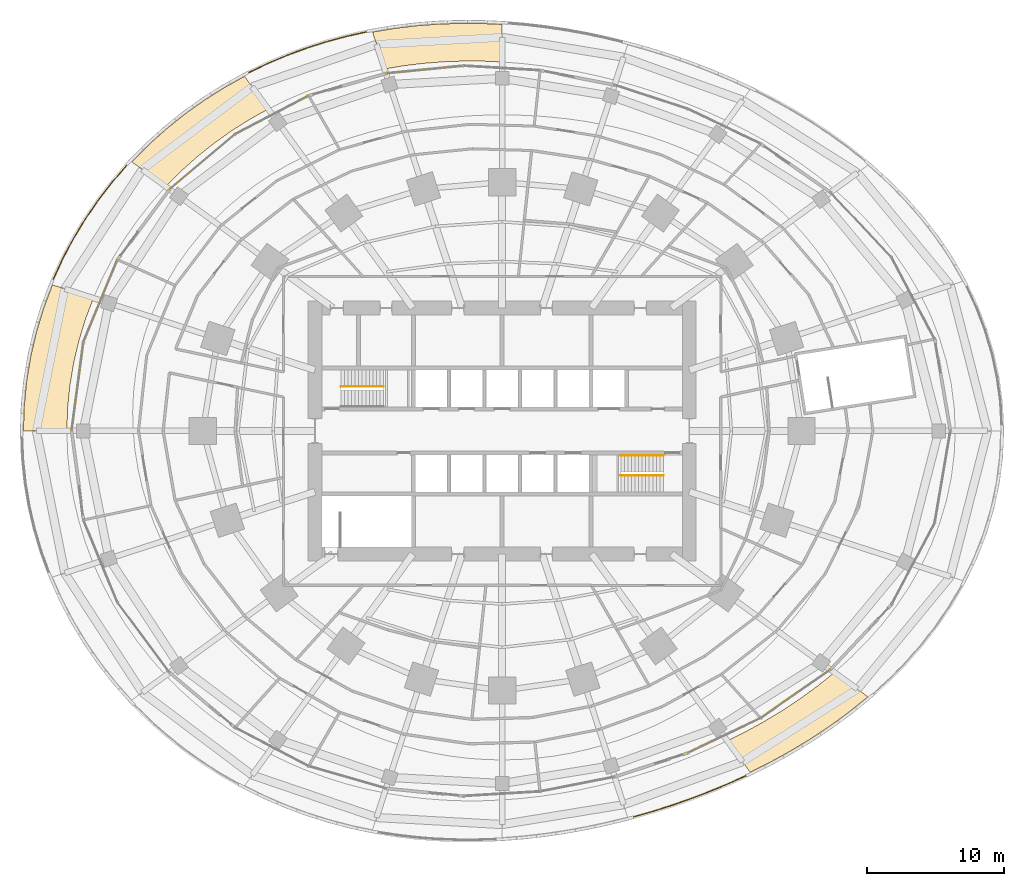
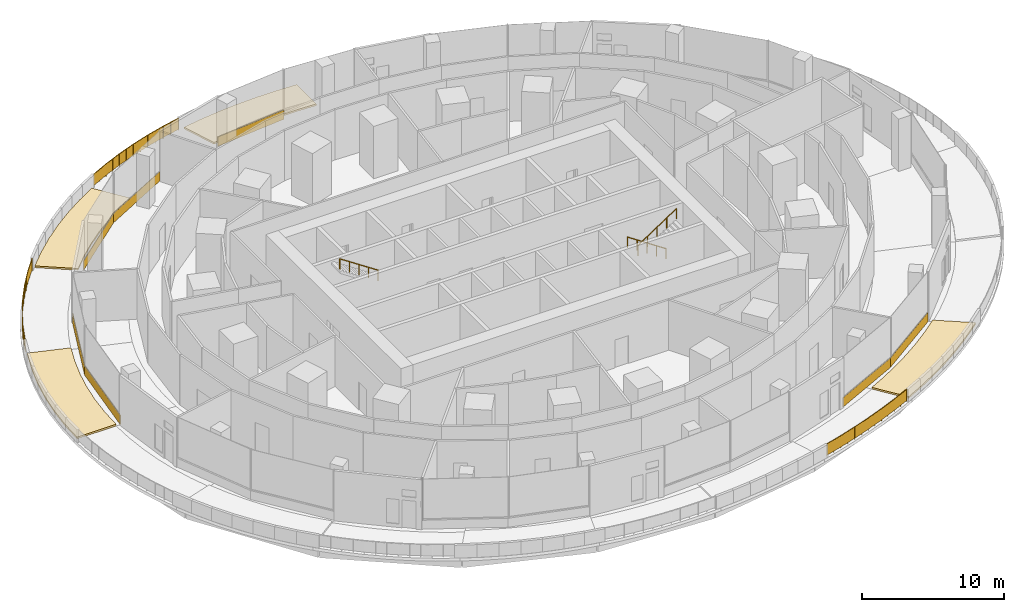
# One storey, part 24 of 26: 11 coverings, 6 railings.
"""IFC4 building model written with IfcOpenShell, lengths in metres."""

from ifc_helpers import new_model, si_unit, direction, frame, origin, origin_2d, place, context, subcontext, project, spatial, polyline, rectangle, circle, outline, extrude, material, layer, layer_set, type_object, element, save


model = new_model("IFC4")

# Units and contexts
model_context = context("Model", 3, precision=1e-05, world=origin(), true_north=direction((0.0, 1.0)))
body_context = subcontext(model_context, "Body", "Model", "MODEL_VIEW")
ifc_project = project(units=[si_unit("LENGTHUNIT", "METRE"), si_unit("AREAUNIT", "SQUARE_METRE"), si_unit("VOLUMEUNIT", "CUBIC_METRE"), si_unit("PLANEANGLEUNIT", "RADIAN"), si_unit("MASSUNIT", "GRAM", prefix="KILO")], contexts=[model_context])

# Site, building, storey
site_placement = place(None, origin())
site = spatial("IfcSite", under=ifc_project, at=site_placement, CompositionType="ELEMENT")
building_placement = place(site_placement, origin())
building = spatial("IfcBuilding", under=site, at=building_placement, Name="Marramba Exchange Tower", CompositionType="ELEMENT")
storey_placement = place(building_placement, frame((0.0, 0.0, 15.10009765625)))
storey = spatial("IfcBuildingStorey", under=building, at=storey_placement, Name="L03", CompositionType="ELEMENT", Elevation=15.10009765625)

# Coverings
ifc_material_1 = material(Name="Extensive green roof: growing medium on drainage cell, filter fabric and root-barrier membrane")
ifc_layer_1 = layer(ifc_material_1, 0.14990234375)
ifc_layer_set_1 = layer_set([ifc_layer_1], Name="Planted roof build-up 150")
covering_type_1 = type_object("IfcCoveringType", Name="Planted roof build-up 150", PredefinedType="ROOFING", material=ifc_layer_set_1)
covering_1_placement = place(storey_placement, origin())
element("IfcCovering", 1, at=covering_1_placement, inside=storey, type_object=covering_type_1, Name="Planted roof build-up L03 bay 06", PredefinedType="ROOFING", context=body_context, shape_type="SweptSolid", body=[
    extrude(outline(polyline([(0.0, 27.0), (-1.418212890625, 27.058837890625), (-2.844482421875, 27.06396484375), (-4.2783203125, 27.01220703125), (-5.718017578125, 26.901123046875), (-7.16162109375, 26.7275390625), (-8.606689453125, 26.48876953125), (-9.48388671875, 29.18798828125), (-7.8916015625, 29.45166015625), (-6.30078125, 29.642822265625), (-4.71435546875, 29.76513671875), (-3.13427734375, 29.82177734375), (-1.5625, 29.8154296875), (0.0, 29.75), (0.0, 27.0)])), origin(), (0.0, 0.0, 1.0), 0.14990234375),
])
covering_2_placement = place(storey_placement, origin())
element("IfcCovering", 2, at=covering_2_placement, inside=storey, type_object=covering_type_1, Name="Planted roof build-up L03 bay 08", PredefinedType="ROOFING", context=body_context, shape_type="SweptSolid", body=[
    extrude(outline(polyline([(-17.114013671875, 23.555419921875), (-18.46435546875, 22.801513671875), (-19.7822265625, 21.97021484375), (-21.061767578125, 21.061767578125), (-22.2978515625, 20.0771484375), (-23.484375, 19.017333984375), (-24.615478515625, 17.88427734375), (-27.1005859375, 19.689697265625), (-25.858154296875, 20.939453125), (-24.554443359375, 22.10888671875), (-23.19580078125, 23.19580078125), (-21.78857421875, 24.198486328125), (-20.3388671875, 25.116455078125), (-18.852783203125, 25.94873046875), (-18.852783203125, 25.94873046875), (-17.114013671875, 23.555419921875)])), origin(), (0.0, 0.0, 1.0), 0.14990234375),
])
covering_3_placement = place(storey_placement, origin())
element("IfcCovering", 3, at=covering_3_placement, inside=storey, type_object=covering_type_1, Name="Planted roof build-up L03 bay 10", PredefinedType="ROOFING", context=body_context, shape_type="SweptSolid", body=[
    extrude(outline(polyline([(-29.91162109375, 9.71875), (-30.49365234375, 8.170654296875), (-30.976318359375, 6.584228515625), (-31.356201171875, 4.96630859375), (-31.629638671875, 3.324462890625), (-31.794921875, 1.666259765625), (-31.85009765625, 0.0), (-35.030029296875, 0.0), (-34.9697265625, 1.832763671875), (-34.7890625, 3.656494140625), (-34.48974609375, 5.462646484375), (-34.07421875, 7.24267578125), (-33.545654296875, 8.988525390625), (-32.90869140625, 10.692626953125), (-29.91162109375, 9.71875)])), origin(), (0.0, 0.0, 1.0), 0.14990234375),
])
covering_4_placement = place(storey_placement, origin())
element("IfcCovering", 4, at=covering_4_placement, inside=storey, type_object=covering_type_1, Name="Planted roof build-up L03 bay 18", PredefinedType="ROOFING", context=body_context, shape_type="SweptSolid", body=[
    extrude(outline(polyline([(16.47509765625, -22.676025390625), (17.81787109375, -22.003173828125), (19.152099609375, -21.2705078125), (20.474365234375, -20.474365234375), (21.77978515625, -19.610595703125), (23.061767578125, -18.675048828125), (24.31298828125, -17.66455078125), (26.76513671875, -19.446044921875), (25.389404296875, -20.559814453125), (23.9794921875, -21.59130859375), (22.5439453125, -22.5439453125), (21.08935546875, -23.422119140625), (19.62109375, -24.230224609375), (18.1435546875, -24.972412109375), (18.1435546875, -24.972412109375), (16.47509765625, -22.676025390625)])), origin(), (0.0, 0.0, 1.0), 0.14990234375),
])
ifc_material_2 = material(Name="Aluminium spandrel panel, bronze anodised, insulated", Category="aluminium")
ifc_layer_2 = layer(ifc_material_2, 0.050048828125)
ifc_layer_set_2 = layer_set([ifc_layer_2], Name="Spandrel panel 800")
covering_type_2 = type_object("IfcCoveringType", Name="Spandrel panel 800", PredefinedType="CLADDING", material=ifc_layer_set_2)
covering_5_placement = place(storey_placement, frame((-5.6533203125, 26.435791015625, 0.0), z_axis=(0.0, 0.0, 1.0), x_axis=(-0.995194841997, -0.097914383323, 0.0)))
element("IfcCovering", 5, at=covering_5_placement, inside=storey, type_object=covering_type_2, Name="Spandrel panel SP1 L03 F09", PredefinedType="CLADDING", context=body_context, shape_type="SweptSolid", body=[
    extrude(rectangle(XDim=5.718017578125, YDim=0.050048828125, at=origin_2d()), origin(), (0.0, 0.0, 1.0), 0.800048828125),
])
covering_6_placement = place(storey_placement, frame((-16.854736328125, 23.119140625, 0.0), z_axis=(0.0, 0.0, 1.0), x_axis=(-0.886061918905, -0.463566905491, 0.0)))
element("IfcCovering", 6, at=covering_6_placement, inside=storey, type_object=covering_type_2, Name="Spandrel panel SP1 L03 F11", PredefinedType="CLADDING", context=body_context, shape_type="SweptSolid", body=[
    extrude(rectangle(XDim=6.0791015625, YDim=0.050048828125, at=origin_2d()), origin(), (0.0, 0.0, 1.0), 0.800048828125),
])
covering_7_placement = place(storey_placement, frame((-21.940185546875, 19.6943359375, 0.0), z_axis=(0.0, 0.0, 1.0), x_axis=(-0.764696951381, -0.64439007794, 0.0)))
element("IfcCovering", 7, at=covering_7_placement, inside=storey, type_object=covering_type_2, Name="Spandrel panel SP1 L03 F12", PredefinedType="CLADDING", context=body_context, shape_type="SweptSolid", body=[
    extrude(rectangle(XDim=6.256591796875, YDim=0.050048828125, at=origin_2d()), origin(), (0.0, 0.0, 1.0), 0.800048828125),
])
covering_8_placement = place(storey_placement, frame((-29.391357421875, 9.52197265625, 0.0), z_axis=(0.0, 0.0, 1.0), x_axis=(-0.381514469877, -0.924362866668, 0.0)))
element("IfcCovering", 8, at=covering_8_placement, inside=storey, type_object=covering_type_2, Name="Spandrel panel SP1 L03 F14", PredefinedType="CLADDING", context=body_context, shape_type="SweptSolid", body=[
    extrude(rectangle(XDim=6.513916015625, YDim=0.050048828125, at=origin_2d()), origin(), (0.0, 0.0, 1.0), 0.800048828125),
])
covering_9_placement = place(storey_placement, frame((-31.06689453125, 3.255615234375, 0.0), z_axis=(0.0, 0.0, 1.0), x_axis=(-0.13183948378, -0.991271078221, 0.0)))
element("IfcCovering", 9, at=covering_9_placement, inside=storey, type_object=covering_type_2, Name="Spandrel panel SP1 L03 F15", PredefinedType="CLADDING", context=body_context, shape_type="SweptSolid", body=[
    extrude(rectangle(XDim=6.56884765625, YDim=0.050048828125, at=origin_2d()), origin(), (0.0, 0.0, 1.0), 0.800048828125),
])
covering_10_placement = place(storey_placement, frame((16.258544921875, -22.282470703125, 0.0), z_axis=(0.0, 0.0, 1.0), x_axis=(0.902119809396, 0.431485630695, 0.0)))
element("IfcCovering", 10, at=covering_10_placement, inside=storey, type_object=covering_type_2, Name="Spandrel panel SP1 L03 F26", PredefinedType="CLADDING", context=body_context, shape_type="SweptSolid", body=[
    extrude(rectangle(XDim=5.895751953125, YDim=0.050048828125, at=origin_2d()), origin(), (0.0, 0.0, 1.0), 0.800048828125),
])
covering_11_placement = place(storey_placement, frame((21.473876953125, -19.234619140625, 0.0), z_axis=(0.0, 0.0, 1.0), x_axis=(0.821237691283, 0.570586237492, 0.0)))
element("IfcCovering", 11, at=covering_11_placement, inside=storey, type_object=covering_type_2, Name="Spandrel panel SP1 L03 F27", PredefinedType="CLADDING", context=body_context, shape_type="SweptSolid", body=[
    extrude(rectangle(XDim=6.224609375, YDim=0.050048828125, at=origin_2d()), origin(), (0.0, 0.0, 1.0), 0.800048828125),
])

# Railings
ifc_material_3 = material(Name="Stainless steel handrail", Category="steel")
railing_type_1 = type_object("IfcRailingType", Name="Stair handrail 900", PredefinedType="HANDRAIL", material=ifc_material_3)
for number, where, name in (
    (12, (-8.679931640625, 3.25, 2.423095703125), "Handrail HR1 ST1 L03 flight 2"),
    (13, (11.800048828125, -1.800048828125, 0.173095703125), "Handrail HR1 ST2 L03 flight 1"),
):
    element("IfcRailing", number, at=place(storey_placement, frame(where)), inside=storey, type_object=railing_type_1, Name=name, PredefinedType="HANDRAIL", context=body_context, shape_type="SweptSolid", body=[
        extrude(circle(Radius=0.02392578125, at=origin_2d()), frame((0.0, 0.0, 0.8759765625), z_axis=(-0.83244090515, 0.0, 0.554113832559), x_axis=(0.0, -1.0, 0.0)), (0.0, 0.0, 1.0), 3.748046875),
        extrude(circle(Radius=0.02099609375, at=origin_2d()), origin(), (0.0, 0.0, 1.0), 0.851806640625),
        extrude(circle(Radius=0.02099609375, at=origin_2d()), frame((-0.780029296875, 0.0, 0.519287109375)), (0.0, 0.0, 1.0), 0.851806640625),
        extrude(circle(Radius=0.02099609375, at=origin_2d()), frame((-1.56005859375, 0.0, 1.03857421875)), (0.0, 0.0, 1.0), 0.851806640625),
        extrude(circle(Radius=0.02099609375, at=origin_2d()), frame((-2.340087890625, 0.0, 1.5576171875)), (0.0, 0.0, 1.0), 0.851806640625),
        extrude(circle(Radius=0.02099609375, at=origin_2d()), frame((-3.1201171875, 0.0, 2.076904296875)), (0.0, 0.0, 1.0), 0.851806640625),
    ])
railing_1_placement = place(storey_placement, frame((8.679931640625, -3.25, 2.423095703125)))
element("IfcRailing", 14, at=railing_1_placement, inside=storey, type_object=railing_type_1, Name="Handrail HR1 ST2 L03 flight 2", PredefinedType="HANDRAIL", context=body_context, shape_type="SweptSolid", body=[
    extrude(circle(Radius=0.02392578125, at=origin_2d()), frame((0.0, 0.0, 0.8759765625), z_axis=(0.83244090515, 0.0, 0.554113832559), x_axis=(0.0, 1.0, 0.0)), (0.0, 0.0, 1.0), 3.748046875),
    extrude(circle(Radius=0.02099609375, at=origin_2d()), origin(), (0.0, 0.0, 1.0), 0.851806640625),
    extrude(circle(Radius=0.02099609375, at=origin_2d()), frame((0.780029296875, 0.0, 0.519287109375)), (0.0, 0.0, 1.0), 0.851806640625),
    extrude(circle(Radius=0.02099609375, at=origin_2d()), frame((1.56005859375, 0.0, 1.03857421875)), (0.0, 0.0, 1.0), 0.851806640625),
    extrude(circle(Radius=0.02099609375, at=origin_2d()), frame((2.340087890625, 0.0, 1.5576171875)), (0.0, 0.0, 1.0), 0.851806640625),
    extrude(circle(Radius=0.02099609375, at=origin_2d()), frame((3.1201171875, 0.0, 2.076904296875)), (0.0, 0.0, 1.0), 0.851806640625),
])
ifc_material_4 = material(Name="Bronze anodised aluminium and laminated glass guard", Category="aluminium")
railing_type_2 = type_object("IfcRailingType", Name="Terrace guard 1100", PredefinedType="GUARDRAIL", material=ifc_material_4)
railing_2_placement = place(storey_placement, frame((-9.908935546875, 29.206298828125, 0.0)))
element("IfcRailing", 15, at=railing_2_placement, inside=storey, type_object=railing_type_2, Name="Terrace guard GR1 L03 bay 07", PredefinedType="GUARDRAIL", context=body_context, shape_type="SweptSolid", body=[
    extrude(circle(Radius=0.02392578125, at=origin_2d()), frame((0.0, 0.0, 1.076171875), z_axis=(-0.975926328545, -0.218100438452, 0.0), x_axis=(0.218100438452, -0.975926328545, 0.0)), (0.0, 0.0, 1.0), 1.502197265625),
    extrude(circle(Radius=0.02392578125, at=origin_2d()), frame((-1.466064453125, -0.32763671875, 1.076171875), z_axis=(-0.965537820506, -0.260262784839, 0.0), x_axis=(0.260262784839, -0.965537820506, 0.0)), (0.0, 0.0, 1.0), 1.51318359375),
    extrude(circle(Radius=0.02392578125, at=origin_2d()), frame((-2.927001953125, -0.721435546875, 1.076171875), z_axis=(-0.952951026146, -0.303124300852, 0.0), x_axis=(0.303124300852, -0.952951026146, 0.0)), (0.0, 0.0, 1.0), 1.52392578125),
    extrude(circle(Radius=0.02392578125, at=origin_2d()), frame((-4.379150390625, -1.183349609375, 1.076171875), z_axis=(-0.93808216174, -0.346412843043, 0.0), x_axis=(0.346412843043, -0.93808216174, 0.0)), (0.0, 0.0, 1.0), 1.534912109375),
    extrude(circle(Radius=0.02392578125, at=origin_2d()), frame((-5.819091796875, -1.715087890625, 1.076171875), z_axis=(-0.920908387169, -0.389779094415, 0.0), x_axis=(0.389779094415, -0.920908387169, 0.0)), (0.0, 0.0, 1.0), 1.5458984375),
    extrude(circle(Radius=0.02392578125, at=origin_2d()), frame((-7.24267578125, -2.317626953125, 1.076171875), z_axis=(-0.901373707725, -0.433042075349, 0.0), x_axis=(0.433042075349, -0.901373707725, 0.0)), (0.0, 0.0, 1.0), 1.556640625),
    extrude(circle(Radius=0.02099609375, at=origin_2d()), origin(), (0.0, 0.0, 1.0), 1.052001953125),
    extrude(circle(Radius=0.02099609375, at=origin_2d()), frame((-0.73291015625, -0.163818359375, 0.0)), (0.0, 0.0, 1.0), 1.052001953125),
    extrude(circle(Radius=0.02099609375, at=origin_2d()), frame((-1.466064453125, -0.32763671875, 0.0)), (0.0, 0.0, 1.0), 1.052001953125),
    extrude(circle(Radius=0.02099609375, at=origin_2d()), frame((-2.196533203125, -0.5244140625, 0.0)), (0.0, 0.0, 1.0), 1.052001953125),
    extrude(circle(Radius=0.02099609375, at=origin_2d()), frame((-2.927001953125, -0.721435546875, 0.0)), (0.0, 0.0, 1.0), 1.052001953125),
    extrude(circle(Radius=0.02099609375, at=origin_2d()), frame((-3.653076171875, -0.952392578125, 0.0)), (0.0, 0.0, 1.0), 1.052001953125),
    extrude(circle(Radius=0.02099609375, at=origin_2d()), frame((-4.379150390625, -1.183349609375, 0.0)), (0.0, 0.0, 1.0), 1.052001953125),
    extrude(circle(Radius=0.02099609375, at=origin_2d()), frame((-5.09912109375, -1.44921875, 0.0)), (0.0, 0.0, 1.0), 1.052001953125),
    extrude(circle(Radius=0.02099609375, at=origin_2d()), frame((-5.819091796875, -1.715087890625, 0.0)), (0.0, 0.0, 1.0), 1.052001953125),
    extrude(circle(Radius=0.02099609375, at=origin_2d()), frame((-6.53076171875, -2.016357421875, 0.0)), (0.0, 0.0, 1.0), 1.052001953125),
    extrude(circle(Radius=0.02099609375, at=origin_2d()), frame((-7.24267578125, -2.317626953125, 0.0)), (0.0, 0.0, 1.0), 1.052001953125),
    extrude(circle(Radius=0.02099609375, at=origin_2d()), frame((-7.9443359375, -2.65478515625, 0.0)), (0.0, 0.0, 1.0), 1.052001953125),
    extrude(circle(Radius=0.02099609375, at=origin_2d()), frame((-8.645751953125, -2.99169921875, 0.0)), (0.0, 0.0, 1.0), 1.052001953125),
    extrude(rectangle(XDim=0.733154296875, YDim=0.02001953125, at=origin_2d()), frame((-0.366455078125, -0.08203125, 0.10009765625), z_axis=(0.0, 0.0, 1.0), x_axis=(-0.975926328545, -0.218100438452, 0.0)), (0.0, 0.0, 1.0), 0.951904296875),
    extrude(rectangle(XDim=0.733154296875, YDim=0.02001953125, at=origin_2d()), frame((-1.099609375, -0.24560546875, 0.10009765625), z_axis=(0.0, 0.0, 1.0), x_axis=(-0.975926328545, -0.218100438452, 0.0)), (0.0, 0.0, 1.0), 0.951904296875),
    extrude(rectangle(XDim=0.738525390625, YDim=0.02001953125, at=origin_2d()), frame((-1.831298828125, -0.426025390625, 0.10009765625), z_axis=(0.0, 0.0, 1.0), x_axis=(-0.965537820506, -0.260262784839, 0.0)), (0.0, 0.0, 1.0), 0.951904296875),
    extrude(rectangle(XDim=0.738525390625, YDim=0.02001953125, at=origin_2d()), frame((-2.561767578125, -0.623046875, 0.10009765625), z_axis=(0.0, 0.0, 1.0), x_axis=(-0.965537820506, -0.260262784839, 0.0)), (0.0, 0.0, 1.0), 0.951904296875),
    extrude(rectangle(XDim=0.743896484375, YDim=0.02001953125, at=origin_2d()), frame((-3.2900390625, -0.8369140625, 0.10009765625), z_axis=(0.0, 0.0, 1.0), x_axis=(-0.952951026146, -0.303124300852, 0.0)), (0.0, 0.0, 1.0), 0.951904296875),
    extrude(rectangle(XDim=0.743896484375, YDim=0.02001953125, at=origin_2d()), frame((-4.01611328125, -1.06787109375, 0.10009765625), z_axis=(0.0, 0.0, 1.0), x_axis=(-0.952951026146, -0.303124300852, 0.0)), (0.0, 0.0, 1.0), 0.951904296875),
    extrude(rectangle(XDim=0.74951171875, YDim=0.02001953125, at=origin_2d()), frame((-4.7392578125, -1.31640625, 0.10009765625), z_axis=(0.0, 0.0, 1.0), x_axis=(-0.93808216174, -0.346412843043, 0.0)), (0.0, 0.0, 1.0), 0.951904296875),
    extrude(rectangle(XDim=0.74951171875, YDim=0.02001953125, at=origin_2d()), frame((-5.458984375, -1.58203125, 0.10009765625), z_axis=(0.0, 0.0, 1.0), x_axis=(-0.93808216174, -0.346412843043, 0.0)), (0.0, 0.0, 1.0), 0.951904296875),
    extrude(rectangle(XDim=0.7548828125, YDim=0.02001953125, at=origin_2d()), frame((-6.175048828125, -1.86572265625, 0.10009765625), z_axis=(0.0, 0.0, 1.0), x_axis=(-0.920908387169, -0.389779094415, 0.0)), (0.0, 0.0, 1.0), 0.951904296875),
    extrude(rectangle(XDim=0.7548828125, YDim=0.02001953125, at=origin_2d()), frame((-6.88671875, -2.1669921875, 0.10009765625), z_axis=(0.0, 0.0, 1.0), x_axis=(-0.920908387169, -0.389779094415, 0.0)), (0.0, 0.0, 1.0), 0.951904296875),
    extrude(rectangle(XDim=0.76025390625, YDim=0.02001953125, at=origin_2d()), frame((-7.593505859375, -2.486083984375, 0.10009765625), z_axis=(0.0, 0.0, 1.0), x_axis=(-0.901373707725, -0.433042075349, 0.0)), (0.0, 0.0, 1.0), 0.951904296875),
    extrude(rectangle(XDim=0.76025390625, YDim=0.02001953125, at=origin_2d()), frame((-8.294921875, -2.8232421875, 0.10009765625), z_axis=(0.0, 0.0, 1.0), x_axis=(-0.901373707725, -0.433042075349, 0.0)), (0.0, 0.0, 1.0), 0.951904296875),
])
railing_3_placement = place(storey_placement, frame((-27.4541015625, 19.45361328125, 0.0)))
element("IfcRailing", 16, at=railing_3_placement, inside=storey, type_object=railing_type_2, Name="Terrace guard GR1 L03 bay 09", PredefinedType="GUARDRAIL", context=body_context, shape_type="SweptSolid", body=[
    extrude(circle(Radius=0.02392578125, at=origin_2d()), frame((0.0, 0.0, 1.076171875), z_axis=(-0.654055702017, -0.75644638849, 0.0), x_axis=(0.75644638849, -0.654055702017, 0.0)), (0.0, 0.0, 1.0), 1.647705078125),
    extrude(circle(Radius=0.02392578125, at=origin_2d()), frame((-1.07763671875, -1.246337890625, 1.076171875), z_axis=(-0.611590164812, -0.79117474069, 0.0), x_axis=(0.79117474069, -0.611590164812, 0.0)), (0.0, 0.0, 1.0), 1.65576171875),
    extrude(circle(Radius=0.02392578125, at=origin_2d()), frame((-2.09033203125, -2.556396484375, 1.076171875), z_axis=(-0.566933609492, -0.823763486948, 0.0), x_axis=(0.823763486948, -0.566933609492, 0.0)), (0.0, 0.0, 1.0), 1.66357421875),
    extrude(circle(Radius=0.02392578125, at=origin_2d()), frame((-3.033447265625, -3.9267578125, 1.076171875), z_axis=(-0.519858850399, -0.854252173343, 0.0), x_axis=(0.854252173343, -0.519858850399, 0.0)), (0.0, 0.0, 1.0), 1.67041015625),
    extrude(circle(Radius=0.02392578125, at=origin_2d()), frame((-3.90185546875, -5.353759765625, 1.076171875), z_axis=(-0.470353988462, -0.882477832887, 0.0), x_axis=(0.882477832887, -0.470353988462, 0.0)), (0.0, 0.0, 1.0), 1.677001953125),
    extrude(circle(Radius=0.02392578125, at=origin_2d()), frame((-4.690673828125, -6.833740234375, 1.076171875), z_axis=(-0.41884656129, -0.908057023593, 0.0), x_axis=(0.908057023593, -0.41884656129, 0.0)), (0.0, 0.0, 1.0), 1.682861328125),
    extrude(circle(Radius=0.02099609375, at=origin_2d()), origin(), (0.0, 0.0, 1.0), 1.052001953125),
    extrude(circle(Radius=0.02099609375, at=origin_2d()), frame((-0.538818359375, -0.623046875, 0.0)), (0.0, 0.0, 1.0), 1.052001953125),
    extrude(circle(Radius=0.02099609375, at=origin_2d()), frame((-1.07763671875, -1.246337890625, 0.0)), (0.0, 0.0, 1.0), 1.052001953125),
    extrude(circle(Radius=0.02099609375, at=origin_2d()), frame((-1.583984375, -1.9013671875, 0.0)), (0.0, 0.0, 1.0), 1.052001953125),
    extrude(circle(Radius=0.02099609375, at=origin_2d()), frame((-2.09033203125, -2.556396484375, 0.0)), (0.0, 0.0, 1.0), 1.052001953125),
    extrude(circle(Radius=0.02099609375, at=origin_2d()), frame((-2.56201171875, -3.24169921875, 0.0)), (0.0, 0.0, 1.0), 1.052001953125),
    extrude(circle(Radius=0.02099609375, at=origin_2d()), frame((-3.033447265625, -3.9267578125, 0.0)), (0.0, 0.0, 1.0), 1.052001953125),
    extrude(circle(Radius=0.02099609375, at=origin_2d()), frame((-3.4677734375, -4.64013671875, 0.0)), (0.0, 0.0, 1.0), 1.052001953125),
    extrude(circle(Radius=0.02099609375, at=origin_2d()), frame((-3.90185546875, -5.353759765625, 0.0)), (0.0, 0.0, 1.0), 1.052001953125),
    extrude(circle(Radius=0.02099609375, at=origin_2d()), frame((-4.29638671875, -6.09375, 0.0)), (0.0, 0.0, 1.0), 1.052001953125),
    extrude(circle(Radius=0.02099609375, at=origin_2d()), frame((-4.690673828125, -6.833740234375, 0.0)), (0.0, 0.0, 1.0), 1.052001953125),
    extrude(circle(Radius=0.02099609375, at=origin_2d()), frame((-5.04296875, -7.59765625, 0.0)), (0.0, 0.0, 1.0), 1.052001953125),
    extrude(circle(Radius=0.02099609375, at=origin_2d()), frame((-5.3955078125, -8.36181640625, 0.0)), (0.0, 0.0, 1.0), 1.052001953125),
    extrude(rectangle(XDim=0.805908203125, YDim=0.02001953125, at=origin_2d()), frame((-0.26953125, -0.3115234375, 0.10009765625), z_axis=(0.0, 0.0, 1.0), x_axis=(-0.654055702017, -0.75644638849, 0.0)), (0.0, 0.0, 1.0), 0.951904296875),
    extrude(rectangle(XDim=0.805908203125, YDim=0.02001953125, at=origin_2d()), frame((-0.80810546875, -0.934814453125, 0.10009765625), z_axis=(0.0, 0.0, 1.0), x_axis=(-0.654055702017, -0.75644638849, 0.0)), (0.0, 0.0, 1.0), 0.951904296875),
    extrude(rectangle(XDim=0.809814453125, YDim=0.02001953125, at=origin_2d()), frame((-1.330810546875, -1.57373046875, 0.10009765625), z_axis=(0.0, 0.0, 1.0), x_axis=(-0.611590164812, -0.79117474069, 0.0)), (0.0, 0.0, 1.0), 0.951904296875),
    extrude(rectangle(XDim=0.809814453125, YDim=0.02001953125, at=origin_2d()), frame((-1.837158203125, -2.22900390625, 0.10009765625), z_axis=(0.0, 0.0, 1.0), x_axis=(-0.611590164812, -0.79117474069, 0.0)), (0.0, 0.0, 1.0), 0.951904296875),
    extrude(rectangle(XDim=0.813720703125, YDim=0.02001953125, at=origin_2d()), frame((-2.326171875, -2.89892578125, 0.10009765625), z_axis=(0.0, 0.0, 1.0), x_axis=(-0.566933609492, -0.823763486948, 0.0)), (0.0, 0.0, 1.0), 0.951904296875),
    extrude(rectangle(XDim=0.813720703125, YDim=0.02001953125, at=origin_2d()), frame((-2.797607421875, -3.584228515625, 0.10009765625), z_axis=(0.0, 0.0, 1.0), x_axis=(-0.566933609492, -0.823763486948, 0.0)), (0.0, 0.0, 1.0), 0.951904296875),
    extrude(rectangle(XDim=0.817138671875, YDim=0.02001953125, at=origin_2d()), frame((-3.25048828125, -4.283447265625, 0.10009765625), z_axis=(0.0, 0.0, 1.0), x_axis=(-0.519858850399, -0.854252173343, 0.0)), (0.0, 0.0, 1.0), 0.951904296875),
    extrude(rectangle(XDim=0.817138671875, YDim=0.02001953125, at=origin_2d()), frame((-3.684814453125, -4.9970703125, 0.10009765625), z_axis=(0.0, 0.0, 1.0), x_axis=(-0.519858850399, -0.854252173343, 0.0)), (0.0, 0.0, 1.0), 0.951904296875),
    extrude(rectangle(XDim=0.820556640625, YDim=0.02001953125, at=origin_2d()), frame((-4.09912109375, -5.7236328125, 0.10009765625), z_axis=(0.0, 0.0, 1.0), x_axis=(-0.470353988462, -0.882477832887, 0.0)), (0.0, 0.0, 1.0), 0.951904296875),
    extrude(rectangle(XDim=0.820556640625, YDim=0.02001953125, at=origin_2d()), frame((-4.493408203125, -6.4638671875, 0.10009765625), z_axis=(0.0, 0.0, 1.0), x_axis=(-0.470353988462, -0.882477832887, 0.0)), (0.0, 0.0, 1.0), 0.951904296875),
    extrude(rectangle(XDim=0.823486328125, YDim=0.02001953125, at=origin_2d()), frame((-4.866943359375, -7.2158203125, 0.10009765625), z_axis=(0.0, 0.0, 1.0), x_axis=(-0.41884656129, -0.908057023593, 0.0)), (0.0, 0.0, 1.0), 0.951904296875),
    extrude(rectangle(XDim=0.823486328125, YDim=0.02001953125, at=origin_2d()), frame((-5.21923828125, -7.979736328125, 0.10009765625), z_axis=(0.0, 0.0, 1.0), x_axis=(-0.41884656129, -0.908057023593, 0.0)), (0.0, 0.0, 1.0), 0.951904296875),
])
railing_4_placement = place(storey_placement, frame((9.595458984375, -28.2431640625, 0.0)))
element("IfcRailing", 17, at=railing_4_placement, inside=storey, type_object=railing_type_2, Name="Terrace guard GR1 L03 bay 17", PredefinedType="GUARDRAIL", context=body_context, shape_type="SweptSolid", body=[
    extrude(circle(Radius=0.02392578125, at=origin_2d()), frame((0.0, 0.0, 1.076171875), z_axis=(0.961318621035, 0.27543875699, 0.0), x_axis=(-0.27543875699, 0.961318621035, 0.0)), (0.0, 0.0, 1.0), 1.437744140625),
    extrude(circle(Radius=0.02392578125, at=origin_2d()), frame((1.382080078125, 0.39599609375, 1.076171875), z_axis=(0.953337365569, 0.301907050945, 0.0), x_axis=(-0.301907050945, 0.953337365569, 0.0)), (0.0, 0.0, 1.0), 1.44580078125),
    extrude(circle(Radius=0.02392578125, at=origin_2d()), frame((2.760498046875, 0.83251953125, 1.076171875), z_axis=(0.944442488861, 0.328676718425, 0.0), x_axis=(-0.328676718425, 0.944442488861, 0.0)), (0.0, 0.0, 1.0), 1.455810546875),
    extrude(circle(Radius=0.02392578125, at=origin_2d()), frame((4.135498046875, 1.31103515625, 1.076171875), z_axis=(0.934672001669, 0.35551125059, 0.0), x_axis=(-0.35551125059, 0.934672001669, 0.0)), (0.0, 0.0, 1.0), 1.46826171875),
    extrude(circle(Radius=0.02392578125, at=origin_2d()), frame((5.5078125, 1.8330078125, 1.076171875), z_axis=(0.923733583321, 0.38303559501, 0.0), x_axis=(-0.38303559501, 0.923733583321, 0.0)), (0.0, 0.0, 1.0), 1.48193359375),
    extrude(circle(Radius=0.02392578125, at=origin_2d()), frame((6.876708984375, 2.400634765625, 1.076171875), z_axis=(0.911579569509, 0.411123689968, 0.0), x_axis=(-0.411123689968, 0.911579569509, 0.0)), (0.0, 0.0, 1.0), 1.49755859375),
    extrude(circle(Radius=0.02099609375, at=origin_2d()), origin(), (0.0, 0.0, 1.0), 1.052001953125),
    extrude(circle(Radius=0.02099609375, at=origin_2d()), frame((0.69091796875, 0.197998046875, 0.0)), (0.0, 0.0, 1.0), 1.052001953125),
    extrude(circle(Radius=0.02099609375, at=origin_2d()), frame((1.382080078125, 0.39599609375, 0.0)), (0.0, 0.0, 1.0), 1.052001953125),
    extrude(circle(Radius=0.02099609375, at=origin_2d()), frame((2.0712890625, 0.6142578125, 0.0)), (0.0, 0.0, 1.0), 1.052001953125),
    extrude(circle(Radius=0.02099609375, at=origin_2d()), frame((2.760498046875, 0.83251953125, 0.0)), (0.0, 0.0, 1.0), 1.052001953125),
    extrude(circle(Radius=0.02099609375, at=origin_2d()), frame((3.447998046875, 1.07177734375, 0.0)), (0.0, 0.0, 1.0), 1.052001953125),
    extrude(circle(Radius=0.02099609375, at=origin_2d()), frame((4.135498046875, 1.31103515625, 0.0)), (0.0, 0.0, 1.0), 1.052001953125),
    extrude(circle(Radius=0.02099609375, at=origin_2d()), frame((4.82177734375, 1.572021484375, 0.0)), (0.0, 0.0, 1.0), 1.052001953125),
    extrude(circle(Radius=0.02099609375, at=origin_2d()), frame((5.5078125, 1.8330078125, 0.0)), (0.0, 0.0, 1.0), 1.052001953125),
    extrude(circle(Radius=0.02099609375, at=origin_2d()), frame((6.1923828125, 2.11669921875, 0.0)), (0.0, 0.0, 1.0), 1.052001953125),
    extrude(circle(Radius=0.02099609375, at=origin_2d()), frame((6.876708984375, 2.400634765625, 0.0)), (0.0, 0.0, 1.0), 1.052001953125),
    extrude(circle(Radius=0.02099609375, at=origin_2d()), frame((7.559326171875, 2.70849609375, 0.0)), (0.0, 0.0, 1.0), 1.052001953125),
    extrude(circle(Radius=0.02099609375, at=origin_2d()), frame((8.241943359375, 3.016357421875, 0.0)), (0.0, 0.0, 1.0), 1.052001953125),
    extrude(rectangle(XDim=0.700927734375, YDim=0.02001953125, at=origin_2d()), frame((0.345458984375, 0.09912109375, 0.10009765625), z_axis=(0.0, 0.0, 1.0), x_axis=(0.961318621035, 0.27543875699, 0.0)), (0.0, 0.0, 1.0), 0.951904296875),
    extrude(rectangle(XDim=0.700927734375, YDim=0.02001953125, at=origin_2d()), frame((1.03662109375, 0.296875, 0.10009765625), z_axis=(0.0, 0.0, 1.0), x_axis=(0.961318621035, 0.27543875699, 0.0)), (0.0, 0.0, 1.0), 0.951904296875),
    extrude(rectangle(XDim=0.704833984375, YDim=0.02001953125, at=origin_2d()), frame((1.7265625, 0.505126953125, 0.10009765625), z_axis=(0.0, 0.0, 1.0), x_axis=(0.953337365569, 0.301907050945, 0.0)), (0.0, 0.0, 1.0), 0.951904296875),
    extrude(rectangle(XDim=0.704833984375, YDim=0.02001953125, at=origin_2d()), frame((2.416015625, 0.723388671875, 0.10009765625), z_axis=(0.0, 0.0, 1.0), x_axis=(0.953337365569, 0.301907050945, 0.0)), (0.0, 0.0, 1.0), 0.951904296875),
    extrude(rectangle(XDim=0.7099609375, YDim=0.02001953125, at=origin_2d()), frame((3.104248046875, 0.9521484375, 0.10009765625), z_axis=(0.0, 0.0, 1.0), x_axis=(0.944442488861, 0.328676718425, 0.0)), (0.0, 0.0, 1.0), 0.951904296875),
    extrude(rectangle(XDim=0.7099609375, YDim=0.02001953125, at=origin_2d()), frame((3.791748046875, 1.19140625, 0.10009765625), z_axis=(0.0, 0.0, 1.0), x_axis=(0.944442488861, 0.328676718425, 0.0)), (0.0, 0.0, 1.0), 0.951904296875),
    extrude(rectangle(XDim=0.716064453125, YDim=0.02001953125, at=origin_2d()), frame((4.478515625, 1.44140625, 0.10009765625), z_axis=(0.0, 0.0, 1.0), x_axis=(0.934672001669, 0.35551125059, 0.0)), (0.0, 0.0, 1.0), 0.951904296875),
    extrude(rectangle(XDim=0.716064453125, YDim=0.02001953125, at=origin_2d()), frame((5.164794921875, 1.70263671875, 0.10009765625), z_axis=(0.0, 0.0, 1.0), x_axis=(0.934672001669, 0.35551125059, 0.0)), (0.0, 0.0, 1.0), 0.951904296875),
    extrude(rectangle(XDim=0.722900390625, YDim=0.02001953125, at=origin_2d()), frame((5.85009765625, 1.974853515625, 0.10009765625), z_axis=(0.0, 0.0, 1.0), x_axis=(0.923733583321, 0.38303559501, 0.0)), (0.0, 0.0, 1.0), 0.951904296875),
    extrude(rectangle(XDim=0.722900390625, YDim=0.02001953125, at=origin_2d()), frame((6.534423828125, 2.2587890625, 0.10009765625), z_axis=(0.0, 0.0, 1.0), x_axis=(0.923733583321, 0.38303559501, 0.0)), (0.0, 0.0, 1.0), 0.951904296875),
    extrude(rectangle(XDim=0.73095703125, YDim=0.02001953125, at=origin_2d()), frame((7.218017578125, 2.5546875, 0.10009765625), z_axis=(0.0, 0.0, 1.0), x_axis=(0.911579569509, 0.411123689968, 0.0)), (0.0, 0.0, 1.0), 0.951904296875),
    extrude(rectangle(XDim=0.73095703125, YDim=0.02001953125, at=origin_2d()), frame((7.900634765625, 2.8623046875, 0.10009765625), z_axis=(0.0, 0.0, 1.0), x_axis=(0.911579569509, 0.411123689968, 0.0)), (0.0, 0.0, 1.0), 0.951904296875),
])

save(model, "model.ifc")
